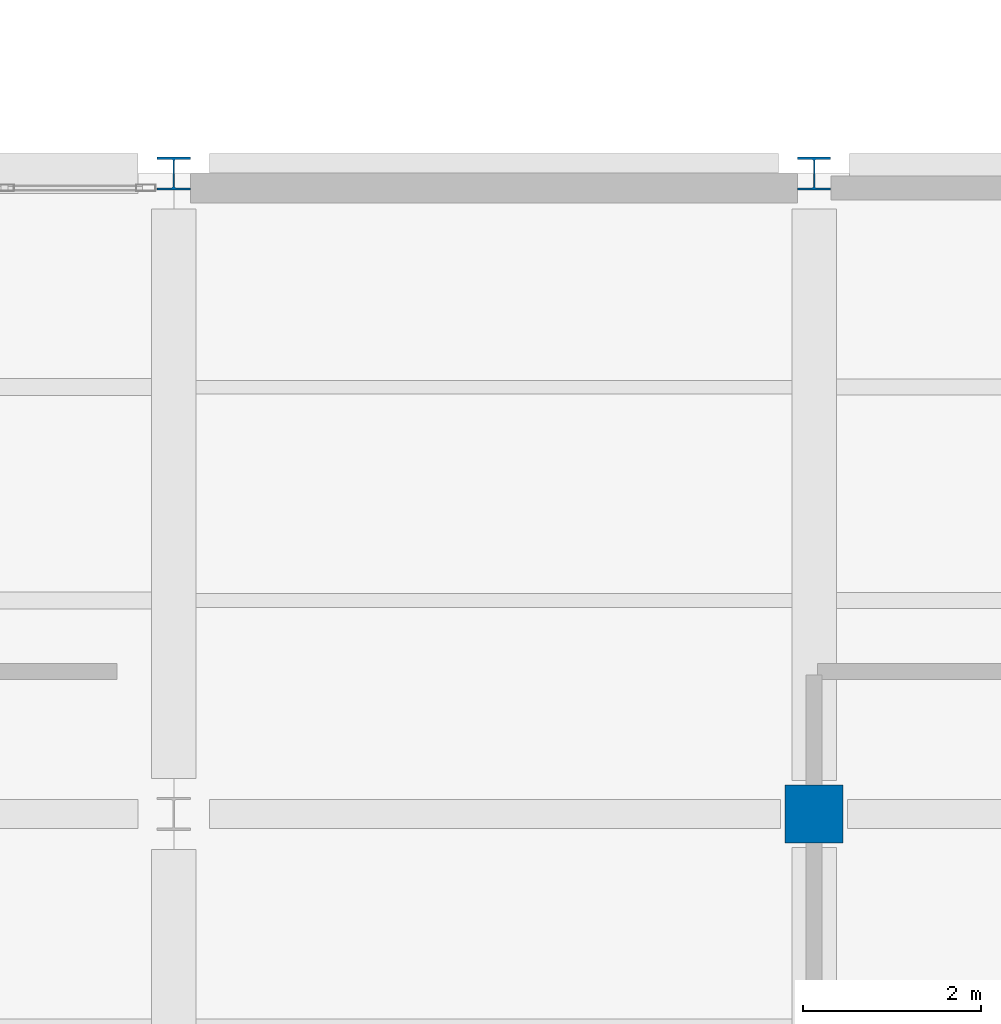
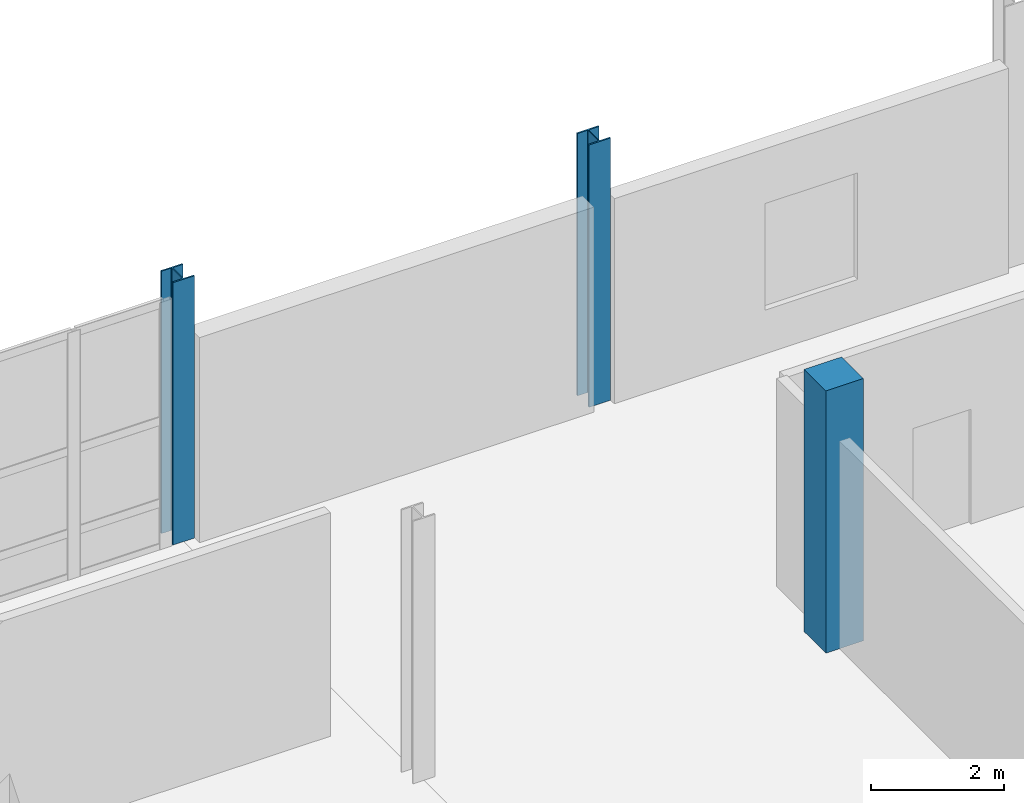
# One storey, part 4 of 127: 3 columns.
"""IFC4 building model written with IfcOpenShell, lengths in metres."""

from ifc_helpers import new_model, si_unit, direction, frame, origin, origin_2d, place, context, subcontext, project, spatial, rectangle, i_section, extrude, material, material_profile, profile_set, type_object, element, save


model = new_model("IFC4")

# Units and contexts
model_context = context("Model", 3, precision=1e-05, world=origin(), true_north=direction((0.0, 1.0)))
body_context = subcontext(model_context, "Body", "Model", "MODEL_VIEW")
ifc_project = project(units=[si_unit("LENGTHUNIT", "METRE"), si_unit("AREAUNIT", "SQUARE_METRE"), si_unit("VOLUMEUNIT", "CUBIC_METRE"), si_unit("PLANEANGLEUNIT", "RADIAN"), si_unit("MASSUNIT", "GRAM", prefix="KILO")], contexts=[model_context])

# Site, building, storey
site_placement = place(None, origin())
site = spatial("IfcSite", under=ifc_project, at=site_placement, CompositionType="ELEMENT")
building_placement = place(site_placement, origin())
building = spatial("IfcBuilding", under=site, at=building_placement, Name="Kalmorath City Hall", CompositionType="ELEMENT")
storey_placement = place(building_placement, frame((0.0, 0.0, 5.39990234375)))
storey = spatial("IfcBuildingStorey", under=building, at=storey_placement, Name="L01", CompositionType="ELEMENT", Elevation=5.39990234375)

# Columns
ifc_material_1 = material(Name="Concrete C50/60", Category="concrete")
ifc_material_profile_1 = material_profile(ifc_material_1, rectangle(XDim=0.64990234375, YDim=0.64990234375, at=origin_2d()), Name="RC-COL-650X650")
ifc_profile_set_1 = profile_set([ifc_material_profile_1], Name="Concrete C50/60")
column_type_1 = type_object("IfcColumnType", Name="Concrete column 650x650", PredefinedType="COLUMN", material=ifc_profile_set_1)
column_placement = place(storey_placement, frame((122.39990234375, 36.0, 0.0), z_axis=(0.0, 0.0, 1.0), x_axis=(1.0, 0.0, 0.0)))
element("IfcColumn", 1, at=column_placement, inside=storey, type_object=column_type_1, Name="L01 column C5 (18/6)", PredefinedType="COLUMN", context=body_context, shape_type="SweptSolid", body=[
    extrude(rectangle(XDim=0.64990234375, YDim=0.64990234375, at=origin_2d()), origin(), (0.0, 0.0, 1.0), 4.800048828125),
])
ifc_material_2 = material(Name="Steel ASTM A992 Grade 50", Category="steel")
ifc_material_profile_2 = material_profile(ifc_material_2, i_section(OverallWidth=0.3740234375, OverallDepth=0.3720703125, WebThickness=0.016357421875, FlangeThickness=0.026123046875, FilletRadius=0.01806640625, at=origin_2d()), Name="W14X132")
ifc_profile_set_2 = profile_set([ifc_material_profile_2], Name="Steel ASTM A992 Grade 50")
column_type_2 = type_object("IfcColumnType", Name="Steel wide-flange column W14X132", PredefinedType="COLUMN", material=ifc_profile_set_2)
for number, where, z_axis, x_axis, name in (
    (2, (115.199951171875, 43.199951171875, 0.0), (0.0, 0.0, 1.0), (1.0, 0.0, 0.0), "L01 column SC2 (17/7)"),
    (3, (122.39990234375, 43.199951171875, 0.0), (0.0, 0.0, 1.0), (1.0, 0.0, 0.0), "L01 column SC2 (18/7)"),
):
    element("IfcColumn", number, at=place(storey_placement, frame(where, z_axis=z_axis, x_axis=x_axis)), inside=storey, type_object=column_type_2, Name=name, PredefinedType="COLUMN", context=body_context, shape_type="SweptSolid", body=[
        extrude(i_section(OverallWidth=0.3740234375, OverallDepth=0.3720703125, WebThickness=0.016357421875, FlangeThickness=0.026123046875, FilletRadius=0.01806640625, at=origin_2d()), origin(), (0.0, 0.0, 1.0), 4.800048828125),
    ])

save(model, "model.ifc")
